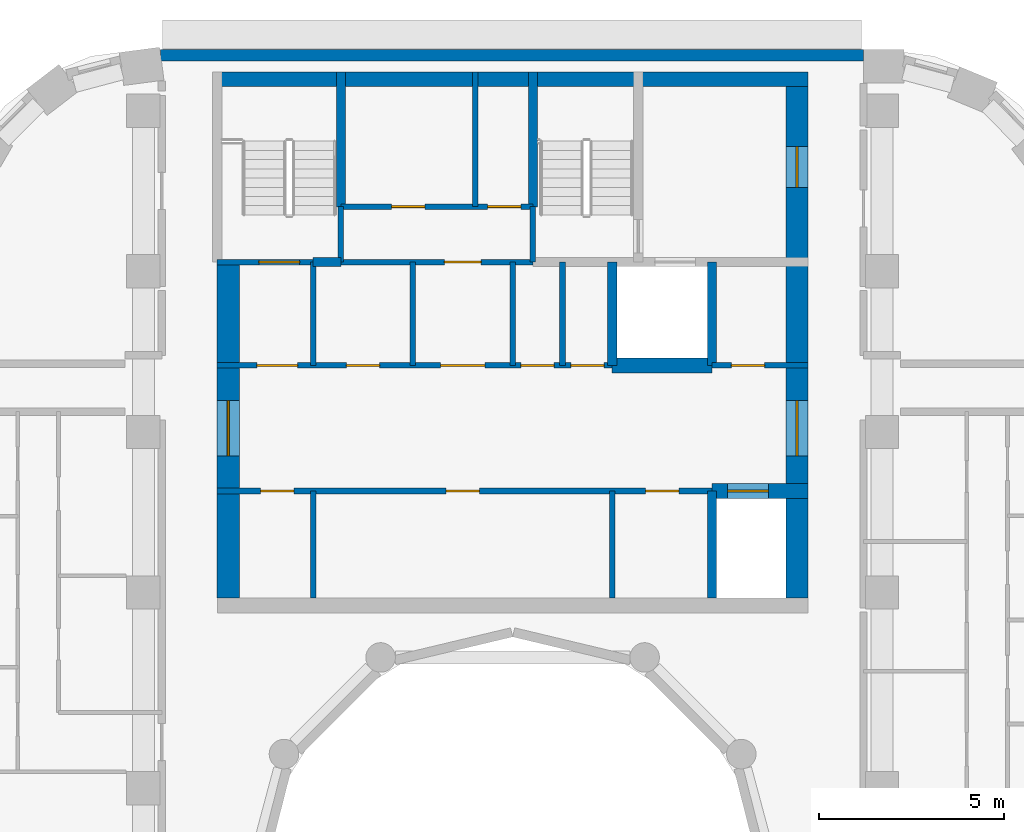
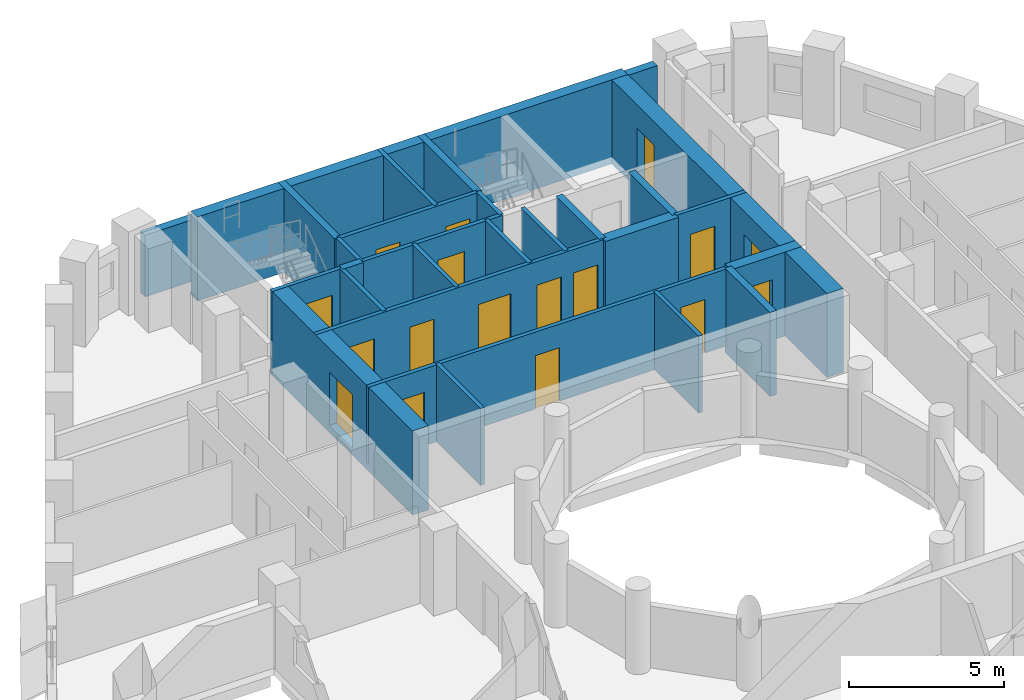
# One storey, part 7 of 12: 27 walls, 17 doors, 17 openings.
"""IFC4 building model written with IfcOpenShell, lengths in metres."""

import ifcopenshell
import ifcopenshell.guid

model = None  # the IFC model being written
_history = None  # IfcOwnerHistory: only IFC2X3 demands one
_inside = {}  # id of a spatial element -> (the spatial element, [elements in it])
_under = {}  # id of a project, library or spatial element -> (it, [spatial elements below it])
_declared = {}  # id of a project -> (the project, [libraries it declares])
_typed = {}  # id of a type object -> (the type object, [elements of that type])
_made_of = {}  # id of a material, layer set ... -> (it, [elements and type objects made of it])


def new_model(schema):
    """Start an empty IFC model of exactly this schema.

    Asked for "IFC4X3", IfcOpenShell would pick the latest addendum, in which some entities
    have other attributes; the version numbers below select the first issue.
    IFC2X3 requires an IfcOwnerHistory on every rooted entity: one is made here for all.
    """
    global model, _history
    if schema == "IFC4X3":
        model = ifcopenshell.file(schema_version=(4, 3, 0, 0))
    else:
        model = ifcopenshell.file(schema=schema)
    _inside.clear()
    _under.clear()
    _declared.clear()
    _typed.clear()
    _made_of.clear()
    _history = None
    if model.schema == "IFC2X3":
        org = make("IfcOrganization", Name="unknown")
        user = make(
            "IfcPersonAndOrganization",
            ThePerson=make("IfcPerson", FamilyName="unknown"),
            TheOrganization=org,
        )
        app = make(
            "IfcApplication",
            ApplicationDeveloper=org,
            Version="unknown",
            ApplicationFullName="unknown",
            ApplicationIdentifier="unknown",
        )
        _history = make(
            "IfcOwnerHistory",
            OwningUser=user,
            OwningApplication=app,
            ChangeAction="ADDED",
            CreationDate=0,
        )
    return model


def make(cls, **values):
    """One entity of the class cls with the attributes given. An attribute that is None is left unset."""
    return model.create_entity(
        cls, **{name: value for name, value in values.items() if value is not None}
    )


def rooted(cls, **values):
    """An entity with a GlobalId (a new one), such as an element, a storey or a relation."""
    return make(cls, GlobalId=ifcopenshell.guid.new(), OwnerHistory=_history, **values)


def si_unit(unit_type, name, prefix=None):
    """IfcSIUnit, for example si_unit("LENGTHUNIT", "METRE", prefix="MILLI")."""
    return make("IfcSIUnit", UnitType=unit_type, Prefix=prefix, Name=name)


def assignment(units):
    """IfcUnitAssignment: the units of a project."""
    return None if units is None else make("IfcUnitAssignment", Units=units)


def point(xyz):
    """IfcCartesianPoint."""
    return None if xyz is None else make("IfcCartesianPoint", Coordinates=xyz)


def direction(xyz):
    """IfcDirection."""
    return None if xyz is None else make("IfcDirection", DirectionRatios=xyz)


def frame(location, z_axis=None, x_axis=None):
    """IfcAxis2Placement3D, a coordinate frame: its origin and axes. An axis left out is left unset."""
    return make(
        "IfcAxis2Placement3D",
        Location=point(location),
        Axis=direction(z_axis),
        RefDirection=direction(x_axis),
    )


def frame_2d(location, x_axis=None):
    """IfcAxis2Placement2D, a coordinate frame in the plane: its origin and x axis."""
    return make(
        "IfcAxis2Placement2D", Location=point(location), RefDirection=direction(x_axis)
    )


def origin():
    """The frame at (0, 0, 0) with its axes left unset."""
    return frame((0.0, 0.0, 0.0))


def place(relative_to, where):
    """IfcLocalPlacement: puts the frame where relative to a parent placement (None: the world)."""
    return make(
        "IfcLocalPlacement", PlacementRelTo=relative_to, RelativePlacement=where
    )


def context(
    kind, dimensions, precision=None, world=None, true_north=None, identifier=None
):
    """IfcGeometricRepresentationContext, for example the 3D "Model" context."""
    return make(
        "IfcGeometricRepresentationContext",
        ContextIdentifier=identifier,
        ContextType=kind,
        CoordinateSpaceDimension=dimensions,
        Precision=precision,
        WorldCoordinateSystem=world,
        TrueNorth=true_north,
    )


def subcontext(parent, identifier, kind, view, scale=None):
    """IfcGeometricRepresentationSubContext, for example "Body" below "Model"."""
    return make(
        "IfcGeometricRepresentationSubContext",
        ContextIdentifier=identifier,
        ContextType=kind,
        ParentContext=parent,
        TargetScale=scale,
        TargetView=view,
    )


def project(units=None, contexts=None):
    """IfcProject with its units and contexts."""
    return rooted(
        "IfcProject",
        Name="project",
        RepresentationContexts=contexts,
        UnitsInContext=assignment(units),
    )


def spatial(cls, under=None, at=None, **own):
    """A site, building, storey or space (cls), placed at a placement, below another one or the project."""
    s = rooted(cls, ObjectPlacement=at, **own)
    if under is not None:
        _under.setdefault(under.id(), (under, []))[1].append(s)
    return s


def profile(cls, at=None, kind="AREA", **sizes):
    """A parametric profile (cls). Its sizes go by their IFC names, for example OverallWidth=200.0."""
    return make(cls, ProfileType=kind, Position=at, **sizes)


def rectangle(**sizes):
    """IfcRectangleProfileDef."""
    return profile("IfcRectangleProfileDef", **sizes)


def extrude(swept, where, along, depth):
    """IfcExtrudedAreaSolid: the profile swept, set in the frame where, extruded along a direction by depth."""
    return make(
        "IfcExtrudedAreaSolid",
        SweptArea=swept,
        Position=where,
        ExtrudedDirection=direction(along),
        Depth=depth,
    )


def shape(context_of_items, identifier, shape_type, items):
    """IfcShapeRepresentation: the items that make up one representation, for example the "Body"."""
    return make(
        "IfcShapeRepresentation",
        ContextOfItems=context_of_items,
        RepresentationIdentifier=identifier,
        RepresentationType=shape_type,
        Items=items,
    )


def material(Name=None, Category=None):
    """IfcMaterial."""
    return make("IfcMaterial", Name=Name, Category=Category)


def layer(
    of_material, thickness, ventilated=None, Name=None, Category=None, Priority=None
):
    """IfcMaterialLayer: one layer of a wall or slab, of a material (None: an air gap)."""
    return make(
        "IfcMaterialLayer",
        Material=of_material,
        LayerThickness=thickness,
        IsVentilated=ventilated,
        Name=Name,
        Category=Category,
        Priority=Priority,
    )


def layer_set(layers, Name=None):
    """IfcMaterialLayerSet."""
    return make("IfcMaterialLayerSet", MaterialLayers=layers, LayerSetName=Name)


def made_of(thing, what):
    """Note that an element or type object is made of a material, layer set ...; save() writes the relation."""
    if what is not None:
        _made_of.setdefault(what.id(), (what, []))[1].append(thing)
    return thing


def type_object(cls, material=None, **own):
    """A type object (cls), such as IfcWallType, which elements share."""
    return made_of(rooted(cls, **own), material)


def element(
    cls,
    number,
    at=None,
    inside=None,
    cuts=None,
    type_object=None,
    material=None,
    context=None,
    identifier="Body",
    shape_type=None,
    held_by="IfcProductDefinitionShape",
    body=None,
    shapes=None,
    **own,
):
    """One element of the class cls, such as IfcWall. Its Tag is "e" and its number.

    at: its placement. inside: the storey or other place that contains it. cuts: it is an
    opening in that element (IfcRelVoidsElement). A single representation is given by context,
    identifier, shape_type and body (its items); several are given by shapes. held_by: the class
    of the entity that holds the representations. save() writes the other relations.
    """
    e = rooted(cls, Tag="e%d" % number, ObjectPlacement=at, **own)
    if body is not None:
        shapes = [shape(context, identifier, shape_type, body)]
    if shapes is not None:
        e.Representation = make(held_by, Representations=shapes)
    if inside is not None:
        _inside.setdefault(inside.id(), (inside, []))[1].append(e)
    if cuts is not None:
        rooted(
            "IfcRelVoidsElement", RelatingBuildingElement=cuts, RelatedOpeningElement=e
        )
    if type_object is not None:
        _typed.setdefault(type_object.id(), (type_object, []))[1].append(e)
    return made_of(e, material)


def fill(opening, filler):
    """IfcRelFillsElement: the door or window that sits in an opening."""
    return rooted(
        "IfcRelFillsElement",
        RelatingOpeningElement=opening,
        RelatedBuildingElement=filler,
    )


def aggregate(whole, parts):
    """IfcRelAggregates: a whole, such as a stair, and the parts it consists of."""
    return rooted("IfcRelAggregates", RelatingObject=whole, RelatedObjects=parts)


def save(model, path):
    """Write the relations noted so far, then the file.

    IfcRelAggregates (storeys below a building ...), IfcRelContainedInSpatialStructure (elements
    in a storey), IfcRelDefinesByType, IfcRelAssociatesMaterial and IfcRelDeclares: one each for
    every whole, place, type object, material and project.
    """
    for whole, parts in _under.values():
        aggregate(whole, parts)
    for where, things in _inside.values():
        rooted(
            "IfcRelContainedInSpatialStructure",
            RelatedElements=things,
            RelatingStructure=where,
        )
    for kind, things in _typed.values():
        rooted("IfcRelDefinesByType", RelatedObjects=things, RelatingType=kind)
    for what, things in _made_of.values():
        rooted("IfcRelAssociatesMaterial", RelatedObjects=things, RelatingMaterial=what)
    for by, libraries in _declared.values():
        rooted("IfcRelDeclares", RelatingContext=by, RelatedDefinitions=libraries)
    model.write(path)


model = new_model("IFC4")

# Units and contexts
model_context = context("Model", 3, precision=1e-05, world=origin(), true_north=direction((0.0, 1.0)))
body_context = subcontext(model_context, "Body", "Model", "MODEL_VIEW")
ifc_project = project(units=[si_unit("LENGTHUNIT", "METRE"), si_unit("AREAUNIT", "SQUARE_METRE"), si_unit("VOLUMEUNIT", "CUBIC_METRE"), si_unit("PLANEANGLEUNIT", "RADIAN"), si_unit("MASSUNIT", "GRAM", prefix="KILO")], contexts=[model_context])

# Site, building, storey
site_placement = place(None, origin())
site = spatial("IfcSite", under=ifc_project, at=site_placement, CompositionType="ELEMENT")
building_placement = place(site_placement, origin())
building = spatial("IfcBuilding", under=site, at=building_placement, Name="Nakaniwa Court", CompositionType="ELEMENT")
storey_placement = place(building_placement, frame((0.0, 0.0, 229.5)))
storey = spatial("IfcBuildingStorey", under=building, at=storey_placement, Name="L59", CompositionType="ELEMENT", Elevation=229.5)

# Walls
ifc_material_1 = material(Name="Charcoal ceramic cladding")
ifc_layer_1 = layer(ifc_material_1, 0.02, Name="Ceramic cladding")
ifc_material_2 = material(Name="Ventilated air cavity")
ifc_layer_2 = layer(ifc_material_2, 0.04, ventilated=True, Name="Ventilated cavity")
ifc_material_3 = material(Name="Mineral wool insulation")
ifc_layer_3 = layer(ifc_material_3, 0.1, Name="Insulation")
ifc_material_4 = material(Name="Cement bonded sheathing board")
ifc_layer_4 = layer(ifc_material_4, 0.012, Name="Sheathing")
ifc_material_5 = material(Name="Cold-formed galvanised stud frame with mineral wool infill")
ifc_layer_5 = layer(ifc_material_5, 0.1, Name="Stud frame")
ifc_material_6 = material(Name="Fire-rated gypsum plasterboard lining")
ifc_layer_6 = layer(ifc_material_6, 0.028, Name="Lining")
ifc_layer_set_1 = layer_set([ifc_layer_1, ifc_layer_2, ifc_layer_3, ifc_layer_4, ifc_layer_5, ifc_layer_6], Name="Charcoal ceramic faced external wall system")
wall_type_1 = type_object("IfcWallType", Name="Black ceramic faced external wall 300", PredefinedType="SOLIDWALL", material=ifc_layer_set_1)
wall_1_placement = place(storey_placement, frame((89.499267578125, 102.5, 0.0), z_axis=(0.0, 0.0, 1.0), x_axis=(-1.0, 0.0, 0.0)))
element("IfcWall", 1, at=wall_1_placement, inside=storey, type_object=wall_type_1, Name="L59 external wall 08", PredefinedType="SOLIDWALL", context=body_context, shape_type="SweptSolid", body=[
    extrude(rectangle(XDim=19.033447265625, YDim=0.300048828125, at=frame_2d((9.5166015625, 0.0))), origin(), (0.0, 0.0, 1.0), 2.425048828125),
])
ifc_material_7 = material(Name="Blockwork partition", Category="masonry")
ifc_layer_7 = layer(ifc_material_7, 0.14990234375)
ifc_layer_set_2 = layer_set([ifc_layer_7], Name="Blockwork partition")
wall_type_2 = type_object("IfcWallType", Name="Blockwork partition 150", PredefinedType="PARTITIONING", material=ifc_layer_set_2)
wall_2_placement = place(storey_placement, frame((74.60009765625, 87.800048828125, 0.0), z_axis=(0.0, 0.0, 1.0), x_axis=(0.0, 1.0, 0.0)))
element("IfcWall", 2, at=wall_2_placement, inside=storey, type_object=wall_type_2, Name="Partition PW-001", PredefinedType="PARTITIONING", context=body_context, shape_type="SweptSolid", body=[
    extrude(rectangle(XDim=2.89990234375, YDim=0.14990234375, at=frame_2d((1.449951171875, 0.0))), origin(), (0.0, 0.0, 1.0), 3.02490234375),
])
wall_3_placement = place(storey_placement, frame((74.60009765625, 94.10009765625, 0.0), z_axis=(0.0, 0.0, 1.0), x_axis=(0.0, 1.0, 0.0)))
element("IfcWall", 3, at=wall_3_placement, inside=storey, type_object=wall_type_2, Name="Partition PW-002", PredefinedType="PARTITIONING", context=body_context, shape_type="SweptSolid", body=[
    extrude(rectangle(XDim=2.7998046875, YDim=0.14990234375, at=frame_2d((1.39990234375, 0.0))), origin(), (0.0, 0.0, 1.0), 3.02490234375),
])

# Wall, openings, doors
wall_4_placement = place(storey_placement, frame((85.39990234375, 90.699951171875, 0.0), z_axis=(0.0, 0.0, 1.0), x_axis=(-1.0, 0.0, 0.0)))
wall_4 = element("IfcWall", 4, at=wall_4_placement, inside=storey, type_object=wall_type_2, Name="Partition PW-003", PredefinedType="PARTITIONING", context=body_context, shape_type="SweptSolid", body=[
    extrude(rectangle(XDim=13.39990234375, YDim=0.14990234375, at=frame_2d((6.699951171875, 0.0))), origin(), (0.0, 0.0, 1.0), 3.02490234375),
])
opening_1_placement = place(wall_4_placement, frame((11.324951171875, 0.0, 0.0)))
opening_1 = element("IfcOpeningElement", 5, at=opening_1_placement, cuts=wall_4, Name="Opening D-05-01", PredefinedType="OPENING", context=body_context, shape_type="SweptSolid", body=[
    extrude(rectangle(XDim=0.89990234375, YDim=2.10009765625, at=frame_2d((0.449951171875, 1.050048828125))), frame((0.0, 0.0849609375, 0.0), z_axis=(0.0, -1.0, 0.0), x_axis=(1.0, 0.0, 0.0)), (0.0, 0.0, 1.0), 0.169921875),
])
opening_2_placement = place(wall_4_placement, frame((6.300048828125, 0.0, 0.0)))
opening_2 = element("IfcOpeningElement", 6, at=opening_2_placement, cuts=wall_4, Name="Opening D-05-02", PredefinedType="OPENING", context=body_context, shape_type="SweptSolid", body=[
    extrude(rectangle(XDim=0.89990234375, YDim=2.10009765625, at=frame_2d((0.449951171875, 1.050048828125))), frame((0.0, 0.0849609375, 0.0), z_axis=(0.0, -1.0, 0.0), x_axis=(1.0, 0.0, 0.0)), (0.0, 0.0, 1.0), 0.169921875),
])
opening_3_placement = place(wall_4_placement, frame((0.89990234375, 0.0, 0.0)))
opening_3 = element("IfcOpeningElement", 7, at=opening_3_placement, cuts=wall_4, Name="Opening D-05-03", PredefinedType="OPENING", context=body_context, shape_type="SweptSolid", body=[
    extrude(rectangle(XDim=0.89990234375, YDim=2.10009765625, at=frame_2d((0.449951171875, 1.050048828125))), frame((0.0, 0.0849609375, 0.0), z_axis=(0.0, -1.0, 0.0), x_axis=(1.0, 0.0, 0.0)), (0.0, 0.0, 1.0), 0.169921875),
])
ifc_material_8 = material(Name="Fire rated steel door set", Category="steel")
door_type_1 = type_object("IfcDoorType", Name="Service room door 900", OperationType="NOTDEFINED", PredefinedType="DOOR", material=ifc_material_8)
door_1_placement = place(opening_1_placement, origin())
door_1 = element("IfcDoor", 8, at=door_1_placement, inside=storey, type_object=door_type_1, Name="Door D-05-01 L59-001", OperationType="SINGLE_SWING_RIGHT", OverallHeight=2.10009765625, OverallWidth=0.89990234375, PredefinedType="DOOR", context=body_context, shape_type="SweptSolid", body=[
    extrude(rectangle(XDim=0.89990234375, YDim=2.10009765625, at=frame_2d((0.449951171875, 1.050048828125))), frame((0.0, 0.02490234375, 0.0), z_axis=(0.0, -1.0, 0.0), x_axis=(1.0, 0.0, 0.0)), (0.0, 0.0, 1.0), 0.050048828125),
])
fill(opening_1, door_1)
door_2_placement = place(opening_2_placement, origin())
door_2 = element("IfcDoor", 9, at=door_2_placement, inside=storey, type_object=door_type_1, Name="Door D-05-02 L59-002", OperationType="SINGLE_SWING_LEFT", OverallHeight=2.10009765625, OverallWidth=0.89990234375, PredefinedType="DOOR", context=body_context, shape_type="SweptSolid", body=[
    extrude(rectangle(XDim=0.89990234375, YDim=2.10009765625, at=frame_2d((0.449951171875, 1.050048828125))), frame((0.0, 0.02490234375, 0.0), z_axis=(0.0, -1.0, 0.0), x_axis=(1.0, 0.0, 0.0)), (0.0, 0.0, 1.0), 0.050048828125),
])
fill(opening_2, door_2)
door_3_placement = place(opening_3_placement, origin())
door_3 = element("IfcDoor", 10, at=door_3_placement, inside=storey, type_object=door_type_1, Name="Door D-05-03 L59-003", OperationType="SINGLE_SWING_RIGHT", OverallHeight=2.10009765625, OverallWidth=0.89990234375, PredefinedType="DOOR", context=body_context, shape_type="SweptSolid", body=[
    extrude(rectangle(XDim=0.89990234375, YDim=2.10009765625, at=frame_2d((0.449951171875, 1.050048828125))), frame((0.0, 0.02490234375, 0.0), z_axis=(0.0, -1.0, 0.0), x_axis=(1.0, 0.0, 0.0)), (0.0, 0.0, 1.0), 0.050048828125),
])
fill(opening_3, door_3)

# Wall
wall_5_placement = place(storey_placement, frame((82.699951171875, 87.800048828125, 0.0), z_axis=(0.0, 0.0, 1.0), x_axis=(0.0, 1.0, 0.0)))
element("IfcWall", 11, at=wall_5_placement, inside=storey, type_object=wall_type_2, Name="Partition PW-009", PredefinedType="PARTITIONING", context=body_context, shape_type="SweptSolid", body=[
    extrude(rectangle(XDim=2.89990234375, YDim=0.14990234375, at=frame_2d((1.449951171875, 0.0))), origin(), (0.0, 0.0, 1.0), 3.02490234375),
])

# Wall, openings, doors
wall_6_placement = place(storey_placement, frame((72.0, 94.10009765625, 0.0), z_axis=(0.0, 0.0, 1.0), x_axis=(1.0, 0.0, 0.0)))
wall_6 = element("IfcWall", 12, at=wall_6_placement, inside=storey, type_object=wall_type_2, Name="Partition PW-010", PredefinedType="PARTITIONING", context=body_context, shape_type="SweptSolid", body=[
    extrude(rectangle(XDim=10.702880859375, YDim=0.14990234375, at=frame_2d((5.3515625, 0.0))), origin(), (0.0, 0.0, 1.0), 3.02490234375),
])
opening_4_placement = place(wall_6_placement, frame((1.074951171875, 0.0, 0.0)))
opening_4 = element("IfcOpeningElement", 13, at=opening_4_placement, cuts=wall_6, Name="Opening D-08-01", PredefinedType="OPENING", context=body_context, shape_type="SweptSolid", body=[
    extrude(rectangle(XDim=1.10009765625, YDim=2.10009765625, at=frame_2d((0.550048828125, 1.050048828125))), frame((0.0, 0.0849609375, 0.0), z_axis=(0.0, -1.0, 0.0), x_axis=(1.0, 0.0, 0.0)), (0.0, 0.0, 1.0), 0.169921875),
])
opening_5_placement = place(wall_6_placement, frame((3.5, 0.0, 0.0)))
opening_5 = element("IfcOpeningElement", 14, at=opening_5_placement, cuts=wall_6, Name="Opening D-05-04", PredefinedType="OPENING", context=body_context, shape_type="SweptSolid", body=[
    extrude(rectangle(XDim=0.89990234375, YDim=2.10009765625, at=frame_2d((0.449951171875, 1.050048828125))), frame((0.0, 0.0849609375, 0.0), z_axis=(0.0, -1.0, 0.0), x_axis=(1.0, 0.0, 0.0)), (0.0, 0.0, 1.0), 0.169921875),
])
opening_6_placement = place(wall_6_placement, frame((6.050048828125, 0.0, 0.0)))
opening_6 = element("IfcOpeningElement", 15, at=opening_6_placement, cuts=wall_6, Name="Opening D-06-01", PredefinedType="OPENING", context=body_context, shape_type="SweptSolid", body=[
    extrude(rectangle(XDim=1.199951171875, YDim=2.10009765625, at=frame_2d((0.60009765625, 1.050048828125))), frame((0.0, 0.0849609375, 0.0), z_axis=(0.0, -1.0, 0.0), x_axis=(1.0, 0.0, 0.0)), (0.0, 0.0, 1.0), 0.169921875),
])
opening_7_placement = place(wall_6_placement, frame((8.22509765625, 0.0, 0.0)))
opening_7 = element("IfcOpeningElement", 16, at=opening_7_placement, cuts=wall_6, Name="Opening D-05-05", PredefinedType="OPENING", context=body_context, shape_type="SweptSolid", body=[
    extrude(rectangle(XDim=0.89990234375, YDim=2.10009765625, at=frame_2d((0.449951171875, 1.050048828125))), frame((0.0, 0.0849609375, 0.0), z_axis=(0.0, -1.0, 0.0), x_axis=(1.0, 0.0, 0.0)), (0.0, 0.0, 1.0), 0.169921875),
])
opening_8_placement = place(wall_6_placement, frame((9.574951171875, 0.0, 0.0)))
opening_8 = element("IfcOpeningElement", 17, at=opening_8_placement, cuts=wall_6, Name="Opening D-05-06", PredefinedType="OPENING", context=body_context, shape_type="SweptSolid", body=[
    extrude(rectangle(XDim=0.89990234375, YDim=2.10009765625, at=frame_2d((0.449951171875, 1.050048828125))), frame((0.0, 0.0849609375, 0.0), z_axis=(0.0, -1.0, 0.0), x_axis=(1.0, 0.0, 0.0)), (0.0, 0.0, 1.0), 0.169921875),
])
ifc_material_9 = material(Name="Fire rated steel double door set", Category="steel")
door_type_2 = type_object("IfcDoorType", Name="Service passage double door 1200", OperationType="NOTDEFINED", PredefinedType="DOOR", material=ifc_material_9)
door_4_placement = place(opening_6_placement, origin())
door_4 = element("IfcDoor", 18, at=door_4_placement, inside=storey, type_object=door_type_2, Name="Door D-06-01 L59-006", OperationType="DOUBLE_DOOR_SINGLE_SWING", OverallHeight=2.10009765625, OverallWidth=1.199951171875, PredefinedType="DOOR", context=body_context, shape_type="SweptSolid", body=[
    extrude(rectangle(XDim=1.199951171875, YDim=2.10009765625, at=frame_2d((0.60009765625, 1.050048828125))), frame((0.0, 0.02490234375, 0.0), z_axis=(0.0, -1.0, 0.0), x_axis=(1.0, 0.0, 0.0)), (0.0, 0.0, 1.0), 0.050048828125),
])
fill(opening_6, door_4)
door_5_placement = place(opening_5_placement, origin())
door_5 = element("IfcDoor", 19, at=door_5_placement, inside=storey, type_object=door_type_1, Name="Door D-05-04 L59-005", OperationType="SINGLE_SWING_RIGHT", OverallHeight=2.10009765625, OverallWidth=0.89990234375, PredefinedType="DOOR", context=body_context, shape_type="SweptSolid", body=[
    extrude(rectangle(XDim=0.89990234375, YDim=2.10009765625, at=frame_2d((0.449951171875, 1.050048828125))), frame((0.0, 0.02490234375, 0.0), z_axis=(0.0, -1.0, 0.0), x_axis=(1.0, 0.0, 0.0)), (0.0, 0.0, 1.0), 0.050048828125),
])
fill(opening_5, door_5)
door_6_placement = place(opening_7_placement, origin())
door_6 = element("IfcDoor", 20, at=door_6_placement, inside=storey, type_object=door_type_1, Name="Door D-05-05 L59-007", OperationType="SINGLE_SWING_RIGHT", OverallHeight=2.10009765625, OverallWidth=0.89990234375, PredefinedType="DOOR", context=body_context, shape_type="SweptSolid", body=[
    extrude(rectangle(XDim=0.89990234375, YDim=2.10009765625, at=frame_2d((0.449951171875, 1.050048828125))), frame((0.0, 0.02490234375, 0.0), z_axis=(0.0, -1.0, 0.0), x_axis=(1.0, 0.0, 0.0)), (0.0, 0.0, 1.0), 0.050048828125),
])
fill(opening_7, door_6)
door_7_placement = place(opening_8_placement, origin())
door_7 = element("IfcDoor", 21, at=door_7_placement, inside=storey, type_object=door_type_1, Name="Door D-05-06 L59-008", OperationType="SINGLE_SWING_LEFT", OverallHeight=2.10009765625, OverallWidth=0.89990234375, PredefinedType="DOOR", context=body_context, shape_type="SweptSolid", body=[
    extrude(rectangle(XDim=0.89990234375, YDim=2.10009765625, at=frame_2d((0.449951171875, 1.050048828125))), frame((0.0, 0.02490234375, 0.0), z_axis=(0.0, -1.0, 0.0), x_axis=(1.0, 0.0, 0.0)), (0.0, 0.0, 1.0), 0.050048828125),
])
fill(opening_8, door_7)
door_type_3 = type_object("IfcDoorType", Name="Stair lobby door 1100", OperationType="NOTDEFINED", PredefinedType="DOOR", material=ifc_material_8)
door_8_placement = place(opening_4_placement, origin())
door_8 = element("IfcDoor", 22, at=door_8_placement, inside=storey, type_object=door_type_3, Name="Door D-08-01 L59-004", OperationType="SINGLE_SWING_LEFT", OverallHeight=2.10009765625, OverallWidth=1.10009765625, PredefinedType="DOOR", context=body_context, shape_type="SweptSolid", body=[
    extrude(rectangle(XDim=1.10009765625, YDim=2.10009765625, at=frame_2d((0.550048828125, 1.050048828125))), frame((0.0, 0.02490234375, 0.0), z_axis=(0.0, -1.0, 0.0), x_axis=(1.0, 0.0, 0.0)), (0.0, 0.0, 1.0), 0.050048828125),
])
fill(opening_4, door_8)

# Wall, opening, door
wall_7_placement = place(storey_placement, frame((85.39697265625, 94.10009765625, 0.0), z_axis=(0.0, 0.0, 1.0), x_axis=(1.0, 0.0, 0.0)))
wall_7 = element("IfcWall", 23, at=wall_7_placement, inside=storey, type_object=wall_type_2, Name="Partition PW-011", PredefinedType="PARTITIONING", context=body_context, shape_type="SweptSolid", body=[
    extrude(rectangle(XDim=2.60302734375, YDim=0.14990234375, at=frame_2d((1.301513671875, 0.0))), origin(), (0.0, 0.0, 1.0), 3.02490234375),
])
opening_9_placement = place(wall_7_placement, frame((0.528076171875, 0.0, 0.0)))
opening_9 = element("IfcOpeningElement", 24, at=opening_9_placement, cuts=wall_7, Name="Opening D-05-07", PredefinedType="OPENING", context=body_context, shape_type="SweptSolid", body=[
    extrude(rectangle(XDim=0.89990234375, YDim=2.10009765625, at=frame_2d((0.449951171875, 1.050048828125))), frame((0.0, 0.0849609375, 0.0), z_axis=(0.0, -1.0, 0.0), x_axis=(1.0, 0.0, 0.0)), (0.0, 0.0, 1.0), 0.169921875),
])
door_9_placement = place(opening_9_placement, origin())
door_9 = element("IfcDoor", 25, at=door_9_placement, inside=storey, type_object=door_type_1, Name="Door D-05-07 L59-009", OperationType="SINGLE_SWING_RIGHT", OverallHeight=2.10009765625, OverallWidth=0.89990234375, PredefinedType="DOOR", context=body_context, shape_type="SweptSolid", body=[
    extrude(rectangle(XDim=0.89990234375, YDim=2.10009765625, at=frame_2d((0.449951171875, 1.050048828125))), frame((0.0, 0.02490234375, 0.0), z_axis=(0.0, -1.0, 0.0), x_axis=(1.0, 0.0, 0.0)), (0.0, 0.0, 1.0), 0.050048828125),
])
fill(opening_9, door_9)

# Wall
wall_8_placement = place(storey_placement, frame((77.300048828125, 94.10009765625, 0.0), z_axis=(0.0, 0.0, 1.0), x_axis=(0.0, 1.0, 0.0)))
element("IfcWall", 26, at=wall_8_placement, inside=storey, type_object=wall_type_2, Name="Partition PW-014", PredefinedType="PARTITIONING", context=body_context, shape_type="SweptSolid", body=[
    extrude(rectangle(XDim=2.7998046875, YDim=0.14990234375, at=frame_2d((1.39990234375, 0.0))), origin(), (0.0, 0.0, 1.0), 3.02490234375),
])

# Wall, opening, door
wall_9_placement = place(storey_placement, frame((75.346923828125, 96.89990234375, 0.0), z_axis=(0.0, 0.0, 1.0), x_axis=(1.0, 0.0, 0.0)))
wall_9 = element("IfcWall", 27, at=wall_9_placement, inside=storey, type_object=wall_type_2, Name="Partition PW-017", PredefinedType="PARTITIONING", context=body_context, shape_type="SweptSolid", body=[
    extrude(rectangle(XDim=5.2060546875, YDim=0.14990234375, at=frame_2d((2.60302734375, 0.0))), origin(), (0.0, 0.0, 1.0), 3.02490234375),
])
opening_10_placement = place(wall_9_placement, frame((2.802978515625, 0.0, 0.0)))
opening_10 = element("IfcOpeningElement", 28, at=opening_10_placement, cuts=wall_9, Name="Opening D-23-01", PredefinedType="OPENING", context=body_context, shape_type="SweptSolid", body=[
    extrude(rectangle(XDim=1.0, YDim=2.10009765625, at=frame_2d((0.5, 1.050048828125))), frame((0.0, 0.0849609375, 0.0), z_axis=(0.0, -1.0, 0.0), x_axis=(1.0, 0.0, 0.0)), (0.0, 0.0, 1.0), 0.169921875),
])
door_type_4 = type_object("IfcDoorType", Name="Service room door 1000", OperationType="NOTDEFINED", PredefinedType="DOOR", material=ifc_material_8)
door_10_placement = place(opening_10_placement, origin())
door_10 = element("IfcDoor", 29, at=door_10_placement, inside=storey, type_object=door_type_4, Name="Door D-23-01 L59-010", OperationType="SINGLE_SWING_LEFT", OverallHeight=2.10009765625, OverallWidth=1.0, PredefinedType="DOOR", context=body_context, shape_type="SweptSolid", body=[
    extrude(rectangle(XDim=1.0, YDim=2.10009765625, at=frame_2d((0.5, 1.050048828125))), frame((0.0, 0.02490234375, 0.0), z_axis=(0.0, -1.0, 0.0), x_axis=(1.0, 0.0, 0.0)), (0.0, 0.0, 1.0), 0.050048828125),
])
fill(opening_10, door_10)

# Walls
for number, where, z_axis, x_axis, name in (
    (30, (80.0, 94.10009765625, 0.0), (0.0, 0.0, 1.0), (0.0, 1.0, 0.0), "Partition PW-018"),
    (31, (81.35009765625, 94.10009765625, 0.0), (0.0, 0.0, 1.0), (0.0, 1.0, 0.0), "Partition PW-019"),
):
    element("IfcWall", number, at=place(storey_placement, frame(where, z_axis=z_axis, x_axis=x_axis)), inside=storey, type_object=wall_type_2, Name=name, PredefinedType="PARTITIONING", context=body_context, shape_type="SweptSolid", body=[
        extrude(rectangle(XDim=2.7998046875, YDim=0.14990234375, at=frame_2d((1.39990234375, 0.0))), origin(), (0.0, 0.0, 1.0), 3.02490234375),
    ])

# Wall, openings, doors
wall_10_placement = place(storey_placement, frame((75.35009765625, 98.39990234375, 0.0), z_axis=(0.0, 0.0, 1.0), x_axis=(1.0, 0.0, 0.0)))
wall_10 = element("IfcWall", 32, at=wall_10_placement, inside=storey, type_object=wall_type_2, Name="Partition PW-027", PredefinedType="PARTITIONING", context=body_context, shape_type="SweptSolid", body=[
    extrude(rectangle(XDim=5.199951171875, YDim=0.14990234375, at=frame_2d((2.60009765625, 0.0))), origin(), (0.0, 0.0, 1.0), 3.02490234375),
])
opening_11_placement = place(wall_10_placement, frame((1.3701171875, 0.0, 0.0)))
opening_11 = element("IfcOpeningElement", 33, at=opening_11_placement, cuts=wall_10, Name="Opening D-05-08", PredefinedType="OPENING", context=body_context, shape_type="SweptSolid", body=[
    extrude(rectangle(XDim=0.89990234375, YDim=2.10009765625, at=frame_2d((0.449951171875, 1.050048828125))), frame((0.0, 0.0849609375, 0.0), z_axis=(0.0, -1.0, 0.0), x_axis=(1.0, 0.0, 0.0)), (0.0, 0.0, 1.0), 0.169921875),
])
opening_12_placement = place(wall_10_placement, frame((3.969970703125, 0.0, 0.0)))
opening_12 = element("IfcOpeningElement", 34, at=opening_12_placement, cuts=wall_10, Name="Opening D-05-09", PredefinedType="OPENING", context=body_context, shape_type="SweptSolid", body=[
    extrude(rectangle(XDim=0.89990234375, YDim=2.10009765625, at=frame_2d((0.449951171875, 1.050048828125))), frame((0.0, 0.0849609375, 0.0), z_axis=(0.0, -1.0, 0.0), x_axis=(1.0, 0.0, 0.0)), (0.0, 0.0, 1.0), 0.169921875),
])
door_11_placement = place(opening_11_placement, origin())
door_11 = element("IfcDoor", 35, at=door_11_placement, inside=storey, type_object=door_type_1, Name="Door D-05-08 L59-011", OperationType="SINGLE_SWING_RIGHT", OverallHeight=2.10009765625, OverallWidth=0.89990234375, PredefinedType="DOOR", context=body_context, shape_type="SweptSolid", body=[
    extrude(rectangle(XDim=0.89990234375, YDim=2.10009765625, at=frame_2d((0.449951171875, 1.050048828125))), frame((0.0, 0.02490234375, 0.0), z_axis=(0.0, -1.0, 0.0), x_axis=(1.0, 0.0, 0.0)), (0.0, 0.0, 1.0), 0.050048828125),
])
fill(opening_11, door_11)
door_12_placement = place(opening_12_placement, origin())
door_12 = element("IfcDoor", 36, at=door_12_placement, inside=storey, type_object=door_type_1, Name="Door D-05-09 L59-012", OperationType="SINGLE_SWING_LEFT", OverallHeight=2.10009765625, OverallWidth=0.89990234375, PredefinedType="DOOR", context=body_context, shape_type="SweptSolid", body=[
    extrude(rectangle(XDim=0.89990234375, YDim=2.10009765625, at=frame_2d((0.449951171875, 1.050048828125))), frame((0.0, 0.02490234375, 0.0), z_axis=(0.0, -1.0, 0.0), x_axis=(1.0, 0.0, 0.0)), (0.0, 0.0, 1.0), 0.050048828125),
])
fill(opening_12, door_12)

# Wall
wall_11_placement = place(storey_placement, frame((78.989990234375, 98.39990234375, 0.0), z_axis=(0.0, 0.0, 1.0), x_axis=(0.0, 1.0, 0.0)))
element("IfcWall", 37, at=wall_11_placement, inside=storey, type_object=wall_type_2, Name="Partition PW-028", PredefinedType="PARTITIONING", context=body_context, shape_type="SweptSolid", body=[
    extrude(rectangle(XDim=3.650146484375, YDim=0.14990234375, at=frame_2d((1.8251953125, 0.0))), origin(), (0.0, 0.0, 1.0), 3.02490234375),
])

# Wall, opening, door
ifc_material_10 = material(Name="Concrete C80/100", Category="concrete")
ifc_layer_8 = layer(ifc_material_10, 0.60009765625)
ifc_layer_set_3 = layer_set([ifc_layer_8], Name="Concrete C80/100")
wall_type_3 = type_object("IfcWallType", Name="Concrete core side wall 600 C80", PredefinedType="SHEAR", material=ifc_layer_set_3)
wall_12_placement = place(storey_placement, frame((72.300048828125, 87.800048828125, -0.27490234375), z_axis=(0.0, 0.0, 1.0), x_axis=(0.0, 1.0, 0.0)))
wall_12 = element("IfcWall", 38, at=wall_12_placement, inside=storey, type_object=wall_type_3, Name="Core wall SW-04", PredefinedType="SHEAR", context=body_context, shape_type="SweptSolid", body=[
    extrude(rectangle(XDim=9.099853515625, YDim=0.60009765625, at=frame_2d((4.5498046875, 0.0))), origin(), (0.0, 0.0, 1.0), 3.2998046875),
])
opening_13_placement = place(wall_12_placement, frame((3.85009765625, 0.0, 0.27490234375)))
opening_13 = element("IfcOpeningElement", 39, at=opening_13_placement, cuts=wall_12, Name="Opening D-07-02", PredefinedType="OPENING", context=body_context, shape_type="SweptSolid", body=[
    extrude(rectangle(XDim=1.5, YDim=2.10009765625, at=frame_2d((0.75, 1.050048828125))), frame((0.0, 0.31005859375, 0.0), z_axis=(0.0, -1.0, 0.0), x_axis=(1.0, 0.0, 0.0)), (0.0, 0.0, 1.0), 0.6201171875),
])
ifc_material_11 = material(Name="Glazed fire rated steel double door set", Category="steel")
door_type_5 = type_object("IfcDoorType", Name="Lobby double door 1500", OperationType="NOTDEFINED", PredefinedType="DOOR", material=ifc_material_11)
door_13_placement = place(opening_13_placement, origin())
door_13 = element("IfcDoor", 40, at=door_13_placement, inside=storey, type_object=door_type_5, Name="Door D-07-02 L59-063", OperationType="DOUBLE_DOOR_SINGLE_SWING", OverallHeight=2.10009765625, OverallWidth=1.5, PredefinedType="DOOR", context=body_context, shape_type="SweptSolid", body=[
    extrude(rectangle(XDim=1.5, YDim=2.10009765625, at=frame_2d((0.75, 1.050048828125))), frame((0.0, 0.02490234375, 0.0), z_axis=(0.0, -1.0, 0.0), x_axis=(1.0, 0.0, 0.0)), (0.0, 0.0, 1.0), 0.050048828125),
])
fill(opening_13, door_13)

# Wall, openings, doors
wall_13_placement = place(storey_placement, frame((87.699951171875, 102.050048828125, -0.27490234375), z_axis=(0.0, 0.0, 1.0), x_axis=(0.0, -1.0, 0.0)))
wall_13 = element("IfcWall", 41, at=wall_13_placement, inside=storey, type_object=wall_type_3, Name="Core wall SW-08", PredefinedType="SHEAR", context=body_context, shape_type="SweptSolid", body=[
    extrude(rectangle(XDim=14.25, YDim=0.60009765625, at=frame_2d((7.125, 0.0))), origin(), (0.0, 0.0, 1.0), 3.2998046875),
])
opening_14_placement = place(wall_13_placement, frame((8.89990234375, 0.0, 0.27490234375)))
opening_14 = element("IfcOpeningElement", 42, at=opening_14_placement, cuts=wall_13, Name="Opening D-07-01", PredefinedType="OPENING", context=body_context, shape_type="SweptSolid", body=[
    extrude(rectangle(XDim=1.5, YDim=2.10009765625, at=frame_2d((0.75, 1.050048828125))), frame((0.0, 0.31005859375, 0.0), z_axis=(0.0, -1.0, 0.0), x_axis=(1.0, 0.0, 0.0)), (0.0, 0.0, 1.0), 0.6201171875),
])
opening_15_placement = place(wall_13_placement, frame((2.02490234375, 0.0, 0.27490234375)))
opening_15 = element("IfcOpeningElement", 43, at=opening_15_placement, cuts=wall_13, Name="Opening D-10-01", PredefinedType="OPENING", context=body_context, shape_type="SweptSolid", body=[
    extrude(rectangle(XDim=1.10009765625, YDim=2.10009765625, at=frame_2d((0.550048828125, 1.050048828125))), frame((0.0, 0.31005859375, 0.0), z_axis=(0.0, -1.0, 0.0), x_axis=(1.0, 0.0, 0.0)), (0.0, 0.0, 1.0), 0.6201171875),
])
door_type_6 = type_object("IfcDoorType", Name="Firefighting lobby door 1100", OperationType="NOTDEFINED", PredefinedType="DOOR", material=ifc_material_8)
door_14_placement = place(opening_15_placement, origin())
door_14 = element("IfcDoor", 44, at=door_14_placement, inside=storey, type_object=door_type_6, Name="Door D-10-01 L59-064", OperationType="SINGLE_SWING_LEFT", OverallHeight=2.10009765625, OverallWidth=1.10009765625, PredefinedType="DOOR", context=body_context, shape_type="SweptSolid", body=[
    extrude(rectangle(XDim=1.10009765625, YDim=2.10009765625, at=frame_2d((0.550048828125, 1.050048828125))), frame((0.0, 0.02490234375, 0.0), z_axis=(0.0, -1.0, 0.0), x_axis=(1.0, 0.0, 0.0)), (0.0, 0.0, 1.0), 0.050048828125),
])
fill(opening_15, door_14)
door_15_placement = place(opening_14_placement, origin())
door_15 = element("IfcDoor", 45, at=door_15_placement, inside=storey, type_object=door_type_5, Name="Door D-07-01 L59-062", OperationType="DOUBLE_DOOR_SINGLE_SWING", OverallHeight=2.10009765625, OverallWidth=1.5, PredefinedType="DOOR", context=body_context, shape_type="SweptSolid", body=[
    extrude(rectangle(XDim=1.5, YDim=2.10009765625, at=frame_2d((0.75, 1.050048828125))), frame((0.0, 0.02490234375, 0.0), z_axis=(0.0, -1.0, 0.0), x_axis=(1.0, 0.0, 0.0)), (0.0, 0.0, 1.0), 0.050048828125),
])
fill(opening_14, door_15)

# Wall, opening, door
ifc_layer_9 = layer(ifc_material_10, 0.39990234375)
ifc_layer_set_4 = layer_set([ifc_layer_9], Name="Concrete C80/100")
wall_type_4 = type_object("IfcWallType", Name="Concrete core spine wall 400 C80", PredefinedType="SHEAR", material=ifc_layer_set_4)
wall_14_placement = place(storey_placement, frame((85.39990234375, 90.699951171875, -0.27490234375), z_axis=(0.0, 0.0, 1.0), x_axis=(1.0, 0.0, 0.0)))
wall_14 = element("IfcWall", 46, at=wall_14_placement, inside=storey, type_object=wall_type_4, Name="Core wall SW-07", PredefinedType="SHEAR", context=body_context, shape_type="SweptSolid", body=[
    extrude(rectangle(XDim=2.60009765625, YDim=0.39990234375, at=frame_2d((1.300048828125, 0.0))), origin(), (0.0, 0.0, 1.0), 3.2998046875),
])
opening_16_placement = place(wall_14_placement, frame((0.425048828125, 0.0, 0.27490234375)))
opening_16 = element("IfcOpeningElement", 47, at=opening_16_placement, cuts=wall_14, Name="Opening LD01", PredefinedType="OPENING", context=body_context, shape_type="SweptSolid", body=[
    extrude(rectangle(XDim=1.10009765625, YDim=2.10009765625, at=frame_2d((0.550048828125, 1.050048828125))), frame((0.0, 0.2099609375, 0.0), z_axis=(0.0, -1.0, 0.0), x_axis=(1.0, 0.0, 0.0)), (0.0, 0.0, 1.0), 0.419921875),
])
ifc_material_12 = material(Name="Stainless steel sliding lift landing door", Category="steel")
door_type_7 = type_object("IfcDoorType", Name="Lift landing door 1100", OperationType="NOTDEFINED", PredefinedType="DOOR", material=ifc_material_12)
door_16_placement = place(opening_16_placement, origin())
door_16 = element("IfcDoor", 48, at=door_16_placement, inside=storey, type_object=door_type_7, Name="Lift landing door LD01 L59-001", OperationType="SLIDING_TO_LEFT", OverallHeight=2.10009765625, OverallWidth=1.10009765625, PredefinedType="DOOR", context=body_context, shape_type="SweptSolid", body=[
    extrude(rectangle(XDim=1.10009765625, YDim=2.10009765625, at=frame_2d((0.550048828125, 1.050048828125))), frame((0.0, 0.02490234375, 0.0), z_axis=(0.0, -1.0, 0.0), x_axis=(1.0, 0.0, 0.0)), (0.0, 0.0, 1.0), 0.050048828125),
])
fill(opening_16, door_16)

# Wall
wall_15_placement = place(storey_placement, frame((82.697021484375, 94.10009765625, -0.27490234375), z_axis=(0.0, 0.0, 1.0), x_axis=(1.0, 0.0, 0.0)))
element("IfcWall", 49, at=wall_15_placement, inside=storey, type_object=wall_type_4, Name="Core wall SW-12", PredefinedType="SHEAR", context=body_context, shape_type="SweptSolid", body=[
    extrude(rectangle(XDim=2.7060546875, YDim=0.39990234375, at=frame_2d((1.35302734375, 0.0))), origin(), (0.0, 0.0, 1.0), 3.2998046875),
])

# Wall, opening, door
ifc_layer_10 = layer(ifc_material_10, 0.14990234375)
ifc_layer_set_5 = layer_set([ifc_layer_10], Name="Concrete C80/100")
wall_type_5 = type_object("IfcWallType", Name="Concrete core wall 150 C80", PredefinedType="SHEAR", material=ifc_layer_set_5)
wall_16_placement = place(storey_placement, frame((74.60009765625, 96.89990234375, -0.27490234375), z_axis=(0.0, 0.0, 1.0), x_axis=(-1.0, 0.0, 0.0)))
wall_16 = element("IfcWall", 50, at=wall_16_placement, inside=storey, type_object=wall_type_5, Name="Core wall SW-13", PredefinedType="SHEAR", context=body_context, shape_type="SweptSolid", body=[
    extrude(rectangle(XDim=2.60009765625, YDim=0.14990234375, at=frame_2d((1.300048828125, 0.0))), origin(), (0.0, 0.0, 1.0), 3.2998046875),
])
opening_17_placement = place(wall_16_placement, frame((0.3701171875, 0.0, 0.27490234375)))
opening_17 = element("IfcOpeningElement", 51, at=opening_17_placement, cuts=wall_16, Name="Opening D-09-01", PredefinedType="OPENING", context=body_context, shape_type="SweptSolid", body=[
    extrude(rectangle(XDim=1.10009765625, YDim=2.10009765625, at=frame_2d((0.550048828125, 1.050048828125))), frame((0.0, 0.0849609375, 0.0), z_axis=(0.0, -1.0, 0.0), x_axis=(1.0, 0.0, 0.0)), (0.0, 0.0, 1.0), 0.169921875),
])
door_type_8 = type_object("IfcDoorType", Name="Stair door 1100", OperationType="NOTDEFINED", PredefinedType="DOOR", material=ifc_material_8)
door_17_placement = place(opening_17_placement, origin())
door_17 = element("IfcDoor", 52, at=door_17_placement, inside=storey, type_object=door_type_8, Name="Door D-09-01 L59-013", OperationType="SINGLE_SWING_LEFT", OverallHeight=2.10009765625, OverallWidth=1.10009765625, PredefinedType="DOOR", context=body_context, shape_type="SweptSolid", body=[
    extrude(rectangle(XDim=1.10009765625, YDim=2.10009765625, at=frame_2d((0.550048828125, 1.050048828125))), frame((0.0, 0.02490234375, 0.0), z_axis=(0.0, -1.0, 0.0), x_axis=(1.0, 0.0, 0.0)), (0.0, 0.0, 1.0), 0.050048828125),
])
fill(opening_17, door_17)

# Walls
for number, where, z_axis, x_axis, name in (
    (53, (75.35009765625, 96.89990234375, -0.27490234375), (0.0, 0.0, 1.0), (0.0, 1.0, 0.0), "Core wall SW-21"),
    (54, (80.550048828125, 96.89990234375, -0.27490234375), (0.0, 0.0, 1.0), (0.0, 1.0, 0.0), "Core wall SW-25"),
):
    element("IfcWall", number, at=place(storey_placement, frame(where, z_axis=z_axis, x_axis=x_axis)), inside=storey, type_object=wall_type_5, Name=name, PredefinedType="SHEAR", context=body_context, shape_type="SweptSolid", body=[
        extrude(rectangle(XDim=1.503173828125, YDim=0.14990234375, at=frame_2d((0.75146484375, 0.0))), origin(), (0.0, 0.0, 1.0), 3.2998046875),
    ])
ifc_layer_11 = layer(ifc_material_10, 0.39990234375)
ifc_layer_set_6 = layer_set([ifc_layer_11], Name="Concrete C80/100")
wall_type_6 = type_object("IfcWallType", Name="Concrete core wall 400 C80", PredefinedType="SHEAR", material=ifc_layer_set_6)
wall_17_placement = place(storey_placement, frame((72.00390625, 101.85009765625, -0.27490234375), z_axis=(0.0, 0.0, 1.0), x_axis=(1.0, 0.0, 0.0)))
element("IfcWall", 55, at=wall_17_placement, inside=storey, type_object=wall_type_6, Name="Core wall SW-121", PredefinedType="SHEAR", context=body_context, shape_type="SweptSolid", body=[
    extrude(rectangle(XDim=15.9921875, YDim=0.39990234375, at=frame_2d((7.99609375, 0.0))), origin(), (0.0, 0.0, 1.0), 3.2998046875),
])
ifc_layer_12 = layer(ifc_material_10, 0.25)
ifc_layer_set_7 = layer_set([ifc_layer_12], Name="Concrete C80/100")
wall_type_7 = type_object("IfcWallType", Name="Concrete shaft wall 250 C80", PredefinedType="SHEAR", material=ifc_layer_set_7)
wall_18_placement = place(storey_placement, frame((85.39990234375, 87.800048828125, -0.27490234375), z_axis=(0.0, 0.0, 1.0), x_axis=(0.0, 1.0, 0.0)))
element("IfcWall", 56, at=wall_18_placement, inside=storey, type_object=wall_type_7, Name="Core wall SW-05", PredefinedType="SHEAR", context=body_context, shape_type="SweptSolid", body=[
    extrude(rectangle(XDim=2.89990234375, YDim=0.25, at=frame_2d((1.449951171875, 0.0))), origin(), (0.0, 0.0, 1.0), 3.2998046875),
])
wall_19_placement = place(storey_placement, frame((85.39990234375, 94.10009765625, -0.27490234375), z_axis=(0.0, 0.0, 1.0), x_axis=(0.0, 1.0, 0.0)))
element("IfcWall", 57, at=wall_19_placement, inside=storey, type_object=wall_type_7, Name="Core wall SW-06", PredefinedType="SHEAR", context=body_context, shape_type="SweptSolid", body=[
    extrude(rectangle(XDim=2.7998046875, YDim=0.25, at=frame_2d((1.39990234375, 0.0))), origin(), (0.0, 0.0, 1.0), 3.2998046875),
])
wall_20_placement = place(storey_placement, frame((74.60009765625, 96.89990234375, -0.27490234375), z_axis=(0.0, 0.0, 1.0), x_axis=(1.0, 0.0, 0.0)))
element("IfcWall", 58, at=wall_20_placement, inside=storey, type_object=wall_type_7, Name="Core wall SW-15", PredefinedType="SHEAR", context=body_context, shape_type="SweptSolid", body=[
    extrude(rectangle(XDim=0.7529296875, YDim=0.25, at=frame_2d((0.37646484375, 0.0))), origin(), (0.0, 0.0, 1.0), 3.2998046875),
])
wall_21_placement = place(storey_placement, frame((82.699951171875, 94.10009765625, -0.27490234375), z_axis=(0.0, 0.0, 1.0), x_axis=(0.0, 1.0, 0.0)))
element("IfcWall", 59, at=wall_21_placement, inside=storey, type_object=wall_type_7, Name="Core wall SW-20", PredefinedType="SHEAR", context=body_context, shape_type="SweptSolid", body=[
    extrude(rectangle(XDim=2.7998046875, YDim=0.25, at=frame_2d((1.39990234375, 0.0))), origin(), (0.0, 0.0, 1.0), 3.2998046875),
])
for number, where, z_axis, x_axis, name in (
    (60, (75.35009765625, 98.39697265625, -0.27490234375), (0.0, 0.0, 1.0), (0.0, 1.0, 0.0), "Core wall SW-22"),
    (61, (80.550048828125, 98.39697265625, -0.27490234375), (0.0, 0.0, 1.0), (0.0, 1.0, 0.0), "Core wall SW-26"),
):
    element("IfcWall", number, at=place(storey_placement, frame(where, z_axis=z_axis, x_axis=x_axis)), inside=storey, type_object=wall_type_7, Name=name, PredefinedType="SHEAR", context=body_context, shape_type="SweptSolid", body=[
        extrude(rectangle(XDim=3.653076171875, YDim=0.25, at=frame_2d((1.82666015625, 0.0))), origin(), (0.0, 0.0, 1.0), 3.2998046875),
    ])

save(model, "model.ifc")
